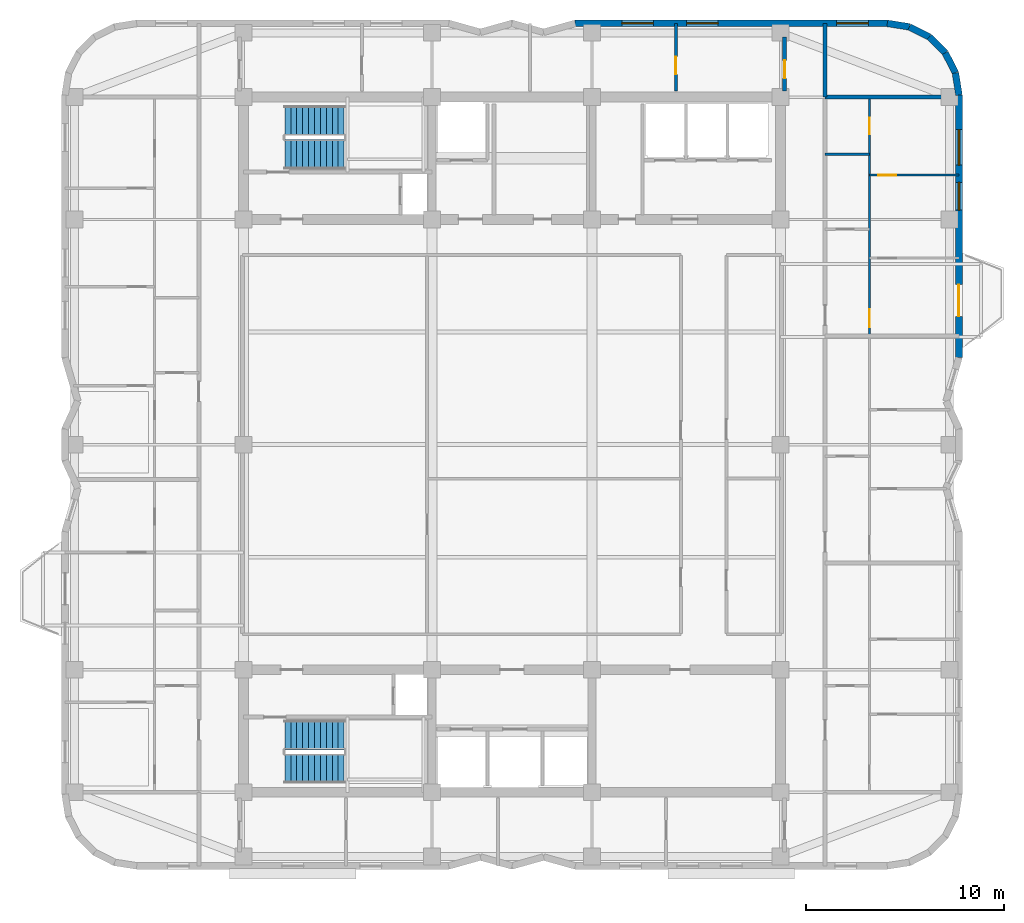
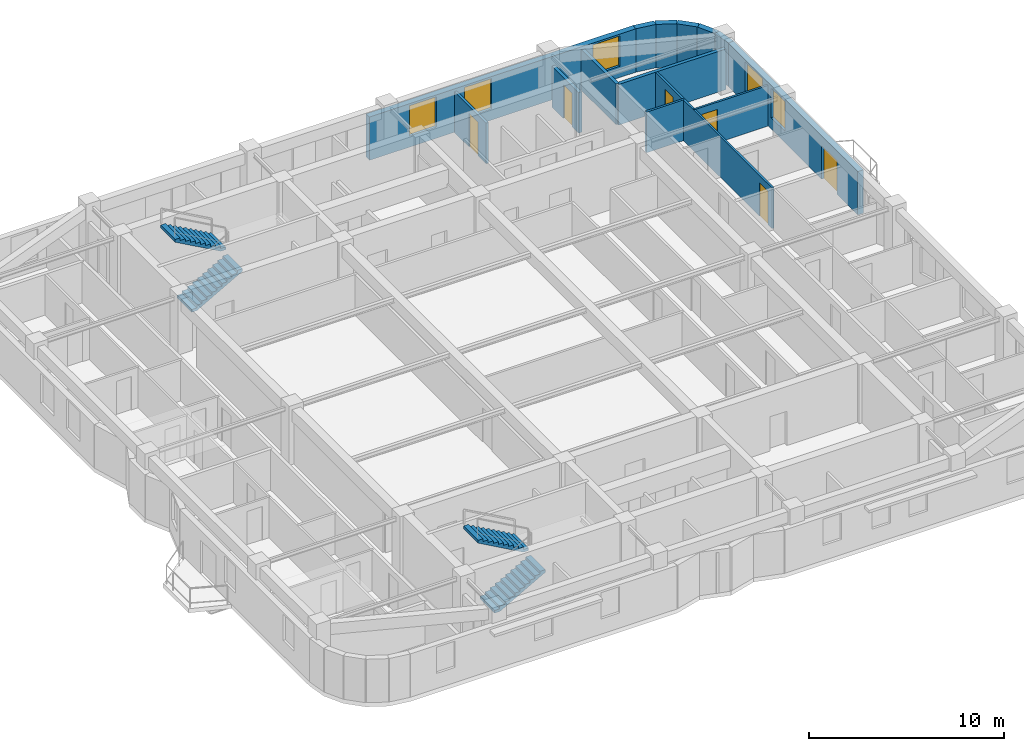
# One storey, part 7 of 9: 14 walls, 6 doors, 5 windows, 4 stair flights, 11 openings, 2 elements without a shape of their own.
"""IFC4 building model written with IfcOpenShell, lengths in metres."""

from ifc_helpers import new_model, si_unit, direction, frame, frame_2d, origin, place, context, subcontext, project, spatial, polyline, rectangle, outline, extrude, material, layer, layer_set, type_object, element, fill, aggregate, save


model = new_model("IFC4")

# Units and contexts
model_context = context("Model", 3, precision=1e-05, world=origin(), true_north=direction((0.0, 1.0)))
body_context = subcontext(model_context, "Body", "Model", "MODEL_VIEW")
ifc_project = project(units=[si_unit("LENGTHUNIT", "METRE"), si_unit("AREAUNIT", "SQUARE_METRE"), si_unit("VOLUMEUNIT", "CUBIC_METRE"), si_unit("PLANEANGLEUNIT", "RADIAN"), si_unit("MASSUNIT", "GRAM", prefix="KILO")], contexts=[model_context])

# Site, building, storey
site_placement = place(None, origin())
site = spatial("IfcSite", under=ifc_project, at=site_placement, CompositionType="ELEMENT")
building_placement = place(site_placement, origin())
building = spatial("IfcBuilding", under=site, at=building_placement, Name="Svetorya Sky Lyceum", CompositionType="ELEMENT")
storey_placement = place(building_placement, frame((0.0, 0.0, 214.699951171875)))
storey = spatial("IfcBuildingStorey", under=building, at=storey_placement, Name="L53", CompositionType="ELEMENT", Elevation=214.699951171875)

# Wall, openings, door, windows
ifc_material_1 = material(Name="Putilovo limestone rainscreen on autoclaved cellular masonry", Category="masonry")
ifc_layer_1 = layer(ifc_material_1, 0.340087890625)
ifc_layer_set_1 = layer_set([ifc_layer_1], Name="Putilovo limestone rainscreen on autoclaved cellular masonry")
wall_type_1 = type_object("IfcWallType", Name="WL-EXT-340", PredefinedType="SOLIDWALL", material=ifc_layer_set_1)
wall_1_placement = place(storey_placement, frame((61.830078125, 32.60009765625, 0.0), z_axis=(0.0, 0.0, 1.0), x_axis=(0.0, 1.0, 0.0)))
wall_1 = element("IfcWall", 1, at=wall_1_placement, inside=storey, type_object=wall_type_1, Name="L53 Limestone Exterior Wall 23M", PredefinedType="SOLIDWALL", context=body_context, shape_type="SweptSolid", body=[
    extrude(rectangle(XDim=13.2998046875, YDim=0.340087890625, at=frame_2d((6.64990234375, 0.0))), origin(), (0.0, 0.0, 1.0), 2.719970703125),
])
opening_1_placement = place(wall_1_placement, frame((2.10009765625, 0.0, 0.0)))
opening_1 = element("IfcOpeningElement", 2, at=opening_1_placement, cuts=wall_1, Name="Opening D-BL1", PredefinedType="OPENING", context=body_context, shape_type="SweptSolid", body=[
    extrude(rectangle(XDim=1.60009765625, YDim=2.10009765625, at=frame_2d((0.800048828125, 1.050048828125))), frame((0.0, 0.179931640625, 0.0), z_axis=(0.0, -1.0, 0.0), x_axis=(1.0, 0.0, 0.0)), (0.0, 0.0, 1.0), 0.360107421875),
])
opening_2_placement = place(wall_1_placement, frame((7.47998046875, 0.0, 0.7099609375)))
opening_2 = element("IfcOpeningElement", 3, at=opening_2_placement, cuts=wall_1, Name="Opening W-R2", PredefinedType="OPENING", context=body_context, shape_type="SweptSolid", body=[
    extrude(rectangle(XDim=1.39990234375, YDim=1.85009765625, at=frame_2d((0.699951171875, 0.925048828125))), frame((0.0, 0.179931640625, 0.0), z_axis=(0.0, -1.0, 0.0), x_axis=(1.0, 0.0, 0.0)), (0.0, 0.0, 1.0), 0.360107421875),
])
opening_3_placement = place(wall_1_placement, frame((9.75, 0.0, 0.75)))
opening_3 = element("IfcOpeningElement", 4, at=opening_3_placement, cuts=wall_1, Name="Opening W-R1", PredefinedType="OPENING", context=body_context, shape_type="SweptSolid", body=[
    extrude(rectangle(XDim=1.800048828125, YDim=1.85009765625, at=frame_2d((0.89990234375, 0.925048828125))), frame((0.0, 0.179931640625, 0.0), z_axis=(0.0, -1.0, 0.0), x_axis=(1.0, 0.0, 0.0)), (0.0, 0.0, 1.0), 0.360107421875),
])
ifc_material_2 = material(Name="Insulated glazed aluminium balcony door", Category="aluminium")
door_type_1 = type_object("IfcDoorType", Name="DR-BAL-1600", OperationType="DOUBLE_DOOR_SINGLE_SWING", PredefinedType="DOOR", material=ifc_material_2)
door_1_placement = place(opening_1_placement, origin())
door_1 = element("IfcDoor", 5, at=door_1_placement, inside=storey, type_object=door_type_1, Name="L53 Balcony BAL-E1 Door", OperationType="DOUBLE_DOOR_SINGLE_SWING", OverallHeight=2.10009765625, OverallWidth=1.60009765625, PredefinedType="DOOR", context=body_context, shape_type="SweptSolid", body=[
    extrude(rectangle(XDim=1.60009765625, YDim=2.10009765625, at=frame_2d((0.800048828125, 1.050048828125))), frame((0.0, 0.02490234375, 0.0), z_axis=(0.0, -1.0, 0.0), x_axis=(1.0, 0.0, 0.0)), (0.0, 0.0, 1.0), 0.050048828125),
])
fill(opening_1, door_1)
ifc_material_3 = material(Name="Thermally broken aluminium frame with triple low-E glazing", Category="aluminium")
window_type_1 = type_object("IfcWindowType", Name="WN-RES-140", PartitioningType="SINGLE_PANEL", PredefinedType="WINDOW", material=ifc_material_3)
window_1_placement = place(opening_2_placement, origin())
window_1 = element("IfcWindow", 6, at=window_1_placement, inside=storey, type_object=window_type_1, Name="L53 Facade Window W-R2.23M.2", OverallHeight=1.85009765625, OverallWidth=1.39990234375, PartitioningType="SINGLE_PANEL", PredefinedType="WINDOW", context=body_context, shape_type="SweptSolid", body=[
    extrude(rectangle(XDim=1.39990234375, YDim=1.85009765625, at=frame_2d((0.699951171875, 0.925048828125))), frame((0.0, 0.030029296875, 0.0), z_axis=(0.0, -1.0, 0.0), x_axis=(1.0, 0.0, 0.0)), (0.0, 0.0, 1.0), 0.06005859375),
])
fill(opening_2, window_1)
window_type_2 = type_object("IfcWindowType", Name="WN-RES-180", PartitioningType="DOUBLE_PANEL_VERTICAL", PredefinedType="WINDOW", material=ifc_material_3)
window_2_placement = place(opening_3_placement, origin())
window_2 = element("IfcWindow", 7, at=window_2_placement, inside=storey, type_object=window_type_2, Name="L53 Facade Window W-R1.23M.1", OverallHeight=1.85009765625, OverallWidth=1.800048828125, PartitioningType="SINGLE_PANEL", PredefinedType="WINDOW", context=body_context, shape_type="SweptSolid", body=[
    extrude(rectangle(XDim=1.800048828125, YDim=1.85009765625, at=frame_2d((0.89990234375, 0.925048828125))), frame((0.0, 0.030029296875, 0.0), z_axis=(0.0, -1.0, 0.0), x_axis=(1.0, 0.0, 0.0)), (0.0, 0.0, 1.0), 0.06005859375),
])
fill(opening_3, window_2)

# Walls
for number, where, z_axis, x_axis, name in (
    (8, (61.830078125, 45.89990234375, 0.0), (0.0, 0.0, 1.0), (-0.156481329164, 0.987680916907, 0.0), "L53 Limestone Exterior Wall 24M"),
    (9, (61.65234375, 47.021728515625, 0.0), (0.0, 0.0, 1.0), (-0.453993402883, 0.891005044957, 0.0), "L53 Limestone Exterior Wall 25M"),
):
    element("IfcWall", number, at=place(storey_placement, frame(where, z_axis=z_axis, x_axis=x_axis)), inside=storey, type_object=wall_type_1, Name=name, PredefinedType="SOLIDWALL", context=body_context, shape_type="SweptSolid", body=[
        extrude(rectangle(XDim=1.1357421875, YDim=0.340087890625, at=frame_2d((0.56787109375, 0.0))), origin(), (0.0, 0.0, 1.0), 2.719970703125),
    ])
wall_2_placement = place(storey_placement, frame((61.13671875, 48.03369140625, 0.0), z_axis=(0.0, 0.0, 1.0), x_axis=(-0.707106781187, 0.707106781187, 0.0)))
element("IfcWall", 10, at=wall_2_placement, inside=storey, type_object=wall_type_1, Name="L53 Limestone Exterior Wall 26M", PredefinedType="SOLIDWALL", context=body_context, shape_type="SweptSolid", body=[
    extrude(rectangle(XDim=1.135498046875, YDim=0.340087890625, at=frame_2d((0.56787109375, 0.0))), origin(), (0.0, 0.0, 1.0), 2.719970703125),
])
for number, where, z_axis, x_axis, name in (
    (11, (60.333740234375, 48.836669921875, 0.0), (0.0, 0.0, 1.0), (-0.891005044957, 0.453993402883, 0.0), "L53 Limestone Exterior Wall 27M"),
    (12, (59.32177734375, 49.352294921875, 0.0), (0.0, 0.0, 1.0), (-0.987680916907, 0.156481329164, 0.0), "L53 Limestone Exterior Wall 28M"),
):
    element("IfcWall", number, at=place(storey_placement, frame(where, z_axis=z_axis, x_axis=x_axis)), inside=storey, type_object=wall_type_1, Name=name, PredefinedType="SOLIDWALL", context=body_context, shape_type="SweptSolid", body=[
        extrude(rectangle(XDim=1.1357421875, YDim=0.340087890625, at=frame_2d((0.56787109375, 0.0))), origin(), (0.0, 0.0, 1.0), 2.719970703125),
    ])

# Wall, openings, windows
wall_3_placement = place(storey_placement, frame((58.199951171875, 49.530029296875, 0.0), z_axis=(0.0, 0.0, 1.0), x_axis=(-1.0, 0.0, 0.0)))
wall_3 = element("IfcWall", 13, at=wall_3_placement, inside=storey, type_object=wall_type_1, Name="L53 Limestone Exterior Wall 29M", PredefinedType="SOLIDWALL", context=body_context, shape_type="SweptSolid", body=[
    extrude(rectangle(XDim=15.800048828125, YDim=0.340087890625, at=frame_2d((7.89990234375, 0.0))), origin(), (0.0, 0.0, 1.0), 2.719970703125),
])
opening_4_placement = place(wall_3_placement, frame((0.96240234375, 0.0, 0.699951171875)))
opening_4 = element("IfcOpeningElement", 14, at=opening_4_placement, cuts=wall_3, Name="Opening W-R4", PredefinedType="OPENING", context=body_context, shape_type="SweptSolid", body=[
    extrude(rectangle(XDim=1.60009765625, YDim=1.89990234375, at=frame_2d((0.800048828125, 0.949951171875))), frame((0.0, 0.179931640625, 0.0), z_axis=(0.0, -1.0, 0.0), x_axis=(1.0, 0.0, 0.0)), (0.0, 0.0, 1.0), 0.360107421875),
])
opening_5_placement = place(wall_3_placement, frame((8.5625, 0.0, 0.699951171875)))
opening_5 = element("IfcOpeningElement", 15, at=opening_5_placement, cuts=wall_3, Name="Opening W-R4", PredefinedType="OPENING", context=body_context, shape_type="SweptSolid", body=[
    extrude(rectangle(XDim=1.60009765625, YDim=1.89990234375, at=frame_2d((0.800048828125, 0.949951171875))), frame((0.0, 0.179931640625, 0.0), z_axis=(0.0, -1.0, 0.0), x_axis=(1.0, 0.0, 0.0)), (0.0, 0.0, 1.0), 0.360107421875),
])
opening_6_placement = place(wall_3_placement, frame((11.83740234375, 0.0, 0.699951171875)))
opening_6 = element("IfcOpeningElement", 16, at=opening_6_placement, cuts=wall_3, Name="Opening W-R4", PredefinedType="OPENING", context=body_context, shape_type="SweptSolid", body=[
    extrude(rectangle(XDim=1.60009765625, YDim=1.89990234375, at=frame_2d((0.800048828125, 0.949951171875))), frame((0.0, 0.179931640625, 0.0), z_axis=(0.0, -1.0, 0.0), x_axis=(1.0, 0.0, 0.0)), (0.0, 0.0, 1.0), 0.360107421875),
])
window_type_3 = type_object("IfcWindowType", Name="WN-RES-160", PartitioningType="DOUBLE_PANEL_VERTICAL", PredefinedType="WINDOW", material=ifc_material_3)
window_3_placement = place(opening_4_placement, origin())
window_3 = element("IfcWindow", 17, at=window_3_placement, inside=storey, type_object=window_type_3, Name="L53 Facade Window W-R4.29M.1", OverallHeight=1.89990234375, OverallWidth=1.60009765625, PartitioningType="SINGLE_PANEL", PredefinedType="WINDOW", context=body_context, shape_type="SweptSolid", body=[
    extrude(rectangle(XDim=1.60009765625, YDim=1.89990234375, at=frame_2d((0.800048828125, 0.949951171875))), frame((0.0, 0.030029296875, 0.0), z_axis=(0.0, -1.0, 0.0), x_axis=(1.0, 0.0, 0.0)), (0.0, 0.0, 1.0), 0.06005859375),
])
fill(opening_4, window_3)
window_4_placement = place(opening_5_placement, origin())
window_4 = element("IfcWindow", 18, at=window_4_placement, inside=storey, type_object=window_type_3, Name="L53 Facade Window W-R4.29M.2", OverallHeight=1.89990234375, OverallWidth=1.60009765625, PartitioningType="SINGLE_PANEL", PredefinedType="WINDOW", context=body_context, shape_type="SweptSolid", body=[
    extrude(rectangle(XDim=1.60009765625, YDim=1.89990234375, at=frame_2d((0.800048828125, 0.949951171875))), frame((0.0, 0.030029296875, 0.0), z_axis=(0.0, -1.0, 0.0), x_axis=(1.0, 0.0, 0.0)), (0.0, 0.0, 1.0), 0.06005859375),
])
fill(opening_5, window_4)
window_5_placement = place(opening_6_placement, origin())
window_5 = element("IfcWindow", 19, at=window_5_placement, inside=storey, type_object=window_type_3, Name="L53 Facade Window W-R4.29M.3", OverallHeight=1.89990234375, OverallWidth=1.60009765625, PartitioningType="SINGLE_PANEL", PredefinedType="WINDOW", context=body_context, shape_type="SweptSolid", body=[
    extrude(rectangle(XDim=1.60009765625, YDim=1.89990234375, at=frame_2d((0.800048828125, 0.949951171875))), frame((0.0, 0.030029296875, 0.0), z_axis=(0.0, -1.0, 0.0), x_axis=(1.0, 0.0, 0.0)), (0.0, 0.0, 1.0), 0.06005859375),
])
fill(opening_6, window_5)

# Wall, opening, door
ifc_material_4 = material(Name="Twin-stud galvanized framing with double fireboard", Category="gypsum")
ifc_layer_2 = layer(ifc_material_4, 0.1201171875)
ifc_layer_set_2 = layer_set([ifc_layer_2], Name="Twin-stud galvanized framing with double fireboard")
wall_type_2 = type_object("IfcWallType", Name="WL-PART-120", PredefinedType="PARTITIONING", material=ifc_layer_set_2)
wall_4_placement = place(storey_placement, frame((57.300048828125, 41.85009765625, 0.0), z_axis=(0.0, 0.0, 1.0), x_axis=(1.0, 0.0, 0.0)))
wall_4 = element("IfcWall", 20, at=wall_4_placement, inside=storey, type_object=wall_type_2, Name="L53 Interior Partition E3-WL2", PredefinedType="PARTITIONING", context=body_context, shape_type="SweptSolid", body=[
    extrude(rectangle(XDim=4.530029296875, YDim=0.1201171875, at=frame_2d((2.26513671875, 0.0))), origin(), (0.0, 0.0, 1.0), 2.550048828125),
])
opening_7_placement = place(wall_4_placement, frame((0.449951171875, 0.0, 0.0)))
opening_7 = element("IfcOpeningElement", 21, at=opening_7_placement, cuts=wall_4, Name="Opening D-RM1", PredefinedType="OPENING", context=body_context, shape_type="SweptSolid", body=[
    extrude(rectangle(XDim=0.89990234375, YDim=2.10009765625, at=frame_2d((0.449951171875, 1.050048828125))), frame((0.0, 0.070068359375, 0.0), z_axis=(0.0, -1.0, 0.0), x_axis=(1.0, 0.0, 0.0)), (0.0, 0.0, 1.0), 0.14013671875),
])
ifc_material_5 = material(Name="Lacquered birch veneer internal door")
door_type_2 = type_object("IfcDoorType", Name="DR-INT-900", OperationType="SINGLE_SWING_LEFT", PredefinedType="DOOR", material=ifc_material_5)
door_2_placement = place(opening_7_placement, origin())
door_2 = element("IfcDoor", 22, at=door_2_placement, inside=storey, type_object=door_type_2, Name="Apartment E3 Bedroom 2 Door", OperationType="SINGLE_SWING_LEFT", OverallHeight=2.10009765625, OverallWidth=0.89990234375, PredefinedType="DOOR", context=body_context, shape_type="SweptSolid", body=[
    extrude(rectangle(XDim=0.89990234375, YDim=2.10009765625, at=frame_2d((0.449951171875, 1.050048828125))), frame((0.0, 0.02490234375, 0.0), z_axis=(0.0, -1.0, 0.0), x_axis=(1.0, 0.0, 0.0)), (0.0, 0.0, 1.0), 0.050048828125),
])
fill(opening_7, door_2)

# Wall, openings, doors
wall_5_placement = place(storey_placement, frame((57.300048828125, 33.739990234375, 0.0), z_axis=(0.0, 0.0, 1.0), x_axis=(0.0, 1.0, 0.0)))
wall_5 = element("IfcWall", 23, at=wall_5_placement, inside=storey, type_object=wall_type_2, Name="L53 Interior Partition E3-WV", PredefinedType="PARTITIONING", context=body_context, shape_type="SweptSolid", body=[
    extrude(rectangle(XDim=12.02001953125, YDim=0.1201171875, at=frame_2d((6.010009765625, 0.0))), origin(), (0.0, 0.0, 1.0), 2.550048828125),
])
opening_8_placement = place(wall_5_placement, frame((0.409912109375, 0.0, 0.0)))
opening_8 = element("IfcOpeningElement", 24, at=opening_8_placement, cuts=wall_5, Name="Opening D-RM1", PredefinedType="OPENING", context=body_context, shape_type="SweptSolid", body=[
    extrude(rectangle(XDim=0.89990234375, YDim=2.10009765625, at=frame_2d((0.449951171875, 1.050048828125))), frame((0.0, 0.070068359375, 0.0), z_axis=(0.0, -1.0, 0.0), x_axis=(1.0, 0.0, 0.0)), (0.0, 0.0, 1.0), 0.14013671875),
])
opening_9_placement = place(wall_5_placement, frame((10.18505859375, 0.0, 0.0)))
opening_9 = element("IfcOpeningElement", 25, at=opening_9_placement, cuts=wall_5, Name="Opening D-BT2", PredefinedType="OPENING", context=body_context, shape_type="SweptSolid", body=[
    extrude(rectangle(XDim=0.820068359375, YDim=2.080078125, at=frame_2d((0.41015625, 1.0400390625))), frame((0.0, 0.070068359375, 0.0), z_axis=(0.0, -1.0, 0.0), x_axis=(1.0, 0.0, 0.0)), (0.0, 0.0, 1.0), 0.14013671875),
])
door_3_placement = place(opening_8_placement, origin())
door_3 = element("IfcDoor", 26, at=door_3_placement, inside=storey, type_object=door_type_2, Name="Apartment E3 Living Door", OperationType="SINGLE_SWING_LEFT", OverallHeight=2.10009765625, OverallWidth=0.89990234375, PredefinedType="DOOR", context=body_context, shape_type="SweptSolid", body=[
    extrude(rectangle(XDim=0.89990234375, YDim=2.10009765625, at=frame_2d((0.449951171875, 1.050048828125))), frame((0.0, 0.02490234375, 0.0), z_axis=(0.0, -1.0, 0.0), x_axis=(1.0, 0.0, 0.0)), (0.0, 0.0, 1.0), 0.050048828125),
])
fill(opening_8, door_3)
ifc_material_6 = material(Name="Compact moisture-resistant laminate closet door")
door_type_3 = type_object("IfcDoorType", Name="DR-WET-820", OperationType="SINGLE_SWING_LEFT", PredefinedType="DOOR", material=ifc_material_6)
door_4_placement = place(opening_9_placement, origin())
door_4 = element("IfcDoor", 27, at=door_4_placement, inside=storey, type_object=door_type_3, Name="Apartment E3 Study Door", OperationType="SINGLE_SWING_RIGHT", OverallHeight=2.080078125, OverallWidth=0.820068359375, PredefinedType="DOOR", context=body_context, shape_type="SweptSolid", body=[
    extrude(rectangle(XDim=0.820068359375, YDim=2.080078125, at=frame_2d((0.41015625, 1.0400390625))), frame((0.0, 0.02490234375, 0.0), z_axis=(0.0, -1.0, 0.0), x_axis=(1.0, 0.0, 0.0)), (0.0, 0.0, 1.0), 0.050048828125),
])
fill(opening_9, door_4)

# Wall
ifc_material_7 = material(Name="Twin-stud galvanized framing with acoustic board", Category="gypsum")
ifc_layer_3 = layer(ifc_material_7, 0.135009765625)
ifc_layer_set_3 = layer_set([ifc_layer_3], Name="Twin-stud galvanized framing with acoustic board")
wall_type_3 = type_object("IfcWallType", Name="WL-PART-135", PredefinedType="PARTITIONING", material=ifc_layer_set_3)
wall_6_placement = place(storey_placement, frame((55.050048828125, 42.89990234375, 0.0), z_axis=(0.0, 0.0, 1.0), x_axis=(1.0, 0.0, 0.0)))
element("IfcWall", 28, at=wall_6_placement, inside=storey, type_object=wall_type_3, Name="L53 Interior Partition E3-WH2", PredefinedType="PARTITIONING", context=body_context, shape_type="SweptSolid", body=[
    extrude(rectangle(XDim=2.25, YDim=0.135009765625, at=frame_2d((1.125, 0.0))), origin(), (0.0, 0.0, 1.0), 2.550048828125),
])

# Wall, opening, door
ifc_material_8 = material(Name="Autoclaved cellular masonry blockwork with acoustic render", Category="masonry")
ifc_layer_4 = layer(ifc_material_8, 0.14990234375)
ifc_layer_set_4 = layer_set([ifc_layer_4], Name="Autoclaved cellular masonry blockwork with acoustic render")
wall_type_4 = type_object("IfcWallType", Name="WL-PART-150", PredefinedType="PARTITIONING", material=ifc_layer_set_4)
wall_7_placement = place(storey_placement, frame((47.5, 46.10009765625, 0.0), z_axis=(0.0, 0.0, 1.0), x_axis=(0.0, 1.0, 0.0)))
wall_7 = element("IfcWall", 29, at=wall_7_placement, inside=storey, type_object=wall_type_4, Name="L53 Interior Partition N4-D3", PredefinedType="PARTITIONING", context=body_context, shape_type="SweptSolid", body=[
    extrude(rectangle(XDim=3.429931640625, YDim=0.14990234375, at=frame_2d((1.71484375, 0.0))), origin(), (0.0, 0.0, 1.0), 2.550048828125),
])
opening_10_placement = place(wall_7_placement, frame((0.85009765625, 0.0, 0.0)))
opening_10 = element("IfcOpeningElement", 30, at=opening_10_placement, cuts=wall_7, Name="Opening D-RM1", PredefinedType="OPENING", context=body_context, shape_type="SweptSolid", body=[
    extrude(rectangle(XDim=0.89990234375, YDim=2.10009765625, at=frame_2d((0.449951171875, 1.050048828125))), frame((0.0, 0.0849609375, 0.0), z_axis=(0.0, -1.0, 0.0), x_axis=(1.0, 0.0, 0.0)), (0.0, 0.0, 1.0), 0.169921875),
])
door_5_placement = place(opening_10_placement, origin())
door_5 = element("IfcDoor", 31, at=door_5_placement, inside=storey, type_object=door_type_2, Name="L53 North Suite Door 3", OperationType="SINGLE_SWING_RIGHT", OverallHeight=2.10009765625, OverallWidth=0.89990234375, PredefinedType="DOOR", context=body_context, shape_type="SweptSolid", body=[
    extrude(rectangle(XDim=0.89990234375, YDim=2.10009765625, at=frame_2d((0.449951171875, 1.050048828125))), frame((0.0, 0.02490234375, 0.0), z_axis=(0.0, -1.0, 0.0), x_axis=(1.0, 0.0, 0.0)), (0.0, 0.0, 1.0), 0.050048828125),
])
fill(opening_10, door_5)

# Walls
ifc_material_9 = material(Name="Autoclaved cellular masonry blockwork with gypsum plaster", Category="masonry")
ifc_layer_5 = layer(ifc_material_9, 0.199951171875)
ifc_layer_set_5 = layer_set([ifc_layer_5], Name="Autoclaved cellular masonry blockwork with gypsum plaster")
wall_type_5 = type_object("IfcWallType", Name="WL-PART-200", PredefinedType="PARTITIONING", material=ifc_layer_set_5)
wall_8_placement = place(storey_placement, frame((55.050048828125, 45.800048828125, 0.0), z_axis=(0.0, 0.0, 1.0), x_axis=(1.0, 0.0, 0.0)))
element("IfcWall", 32, at=wall_8_placement, inside=storey, type_object=wall_type_5, Name="L53 Interior Partition E-CAP-N", PredefinedType="PARTITIONING", context=body_context, shape_type="SweptSolid", body=[
    extrude(rectangle(XDim=6.35986328125, YDim=0.199951171875, at=frame_2d((3.179931640625, 0.0))), origin(), (0.0, 0.0, 1.0), 2.550048828125),
])
wall_9_placement = place(storey_placement, frame((55.050048828125, 45.800048828125, 0.0), z_axis=(0.0, 0.0, 1.0), x_axis=(0.0, 1.0, 0.0)))
element("IfcWall", 33, at=wall_9_placement, inside=storey, type_object=wall_type_5, Name="L53 Interior Partition EC-NE-END", PredefinedType="PARTITIONING", context=body_context, shape_type="SweptSolid", body=[
    extrude(rectangle(XDim=3.72998046875, YDim=0.199951171875, at=frame_2d((1.864990234375, 0.0))), origin(), (0.0, 0.0, 1.0), 2.550048828125),
])

# Wall, opening, door
wall_10_placement = place(storey_placement, frame((53.0, 46.10009765625, 0.0), z_axis=(0.0, 0.0, 1.0), x_axis=(0.0, 1.0, 0.0)))
wall_10 = element("IfcWall", 34, at=wall_10_placement, inside=storey, type_object=wall_type_5, Name="L53 Interior Partition N4-EE", PredefinedType="PARTITIONING", context=body_context, shape_type="SweptSolid", body=[
    extrude(rectangle(XDim=2.72998046875, YDim=0.199951171875, at=frame_2d((1.364990234375, 0.0))), origin(), (0.0, 0.0, 1.0), 2.550048828125),
])
opening_11_placement = place(wall_10_placement, frame((0.64990234375, 0.0, 0.0)))
opening_11 = element("IfcOpeningElement", 35, at=opening_11_placement, cuts=wall_10, Name="Opening D-RM1", PredefinedType="OPENING", context=body_context, shape_type="SweptSolid", body=[
    extrude(rectangle(XDim=0.89990234375, YDim=2.10009765625, at=frame_2d((0.449951171875, 1.050048828125))), frame((0.0, 0.10986328125, 0.0), z_axis=(0.0, -1.0, 0.0), x_axis=(1.0, 0.0, 0.0)), (0.0, 0.0, 1.0), 0.219970703125),
])
door_6_placement = place(opening_11_placement, origin())
door_6 = element("IfcDoor", 36, at=door_6_placement, inside=storey, type_object=door_type_2, Name="L53 NE Office Door", OperationType="SINGLE_SWING_LEFT", OverallHeight=2.10009765625, OverallWidth=0.89990234375, PredefinedType="DOOR", context=body_context, shape_type="SweptSolid", body=[
    extrude(rectangle(XDim=0.89990234375, YDim=2.10009765625, at=frame_2d((0.449951171875, 1.050048828125))), frame((0.0, 0.02490234375, 0.0), z_axis=(0.0, -1.0, 0.0), x_axis=(1.0, 0.0, 0.0)), (0.0, 0.0, 1.0), 0.050048828125),
])
fill(opening_11, door_6)

# Stair, stair flights
ifc_material_10 = material(Name="Concrete C40/50", Category="concrete")
stair_type_1 = type_object("IfcStairType", Name="STR-ST-N", PredefinedType="HALF_TURN_STAIR", material=ifc_material_10)
stair_1_placement = place(storey_placement, origin())
stair_1 = element("IfcStair", 37, at=stair_1_placement, inside=storey, type_object=stair_type_1, Name="L53 North Core Smoke-Free Exit Stair N3", PredefinedType="HALF_TURN_STAIR")
stair_flight_type_1 = type_object("IfcStairFlightType", Name="SFL-ST-N", PredefinedType="STRAIGHT", material=ifc_material_10)
stair_flight_1_placement = place(storey_placement, frame((27.699951171875, 42.89990234375, 0.0), z_axis=(0.0, 0.0, 1.0), x_axis=(1.0, 0.0, 0.0)))
stair_flight_1 = element("IfcStairFlight", 38, at=stair_flight_1_placement, type_object=stair_flight_type_1, Name="ST-N flight 1", NumberOfRisers=11, NumberOfTreads=10, PredefinedType="STRAIGHT", RiserHeight=0.168181818, TreadLength=0.3, context=body_context, shape_type="SweptSolid", body=[
    extrude(outline(polyline([(0.0, 0.0), (0.0, 0.168212890625), (0.300048828125, 0.168212890625), (0.300048828125, 0.33642578125), (0.60009765625, 0.33642578125), (0.60009765625, 0.504638671875), (0.89990234375, 0.504638671875), (0.89990234375, 0.672607421875), (1.199951171875, 0.672607421875), (1.199951171875, 0.8408203125), (1.5, 0.8408203125), (1.5, 1.009033203125), (1.800048828125, 1.009033203125), (1.800048828125, 1.17724609375), (2.10009765625, 1.17724609375), (2.10009765625, 1.345458984375), (2.39990234375, 1.345458984375), (2.39990234375, 1.513671875), (2.699951171875, 1.513671875), (2.699951171875, 1.681884765625), (3.0, 1.681884765625), (3.0, 1.85009765625), (3.0, 1.510009765625), (0.306640625, 0.0), (0.0, 0.0)])), frame((0.0, 0.75, 0.0), z_axis=(0.0, -1.0, 0.0), x_axis=(1.0, 0.0, 0.0)), (0.0, 0.0, 1.0), 1.5),
])
stair_flight_2_placement = place(storey_placement, frame((30.699951171875, 44.60009765625, 1.85009765625), z_axis=(0.0, 0.0, 1.0), x_axis=(-1.0, 0.0, 0.0)))
stair_flight_2 = element("IfcStairFlight", 39, at=stair_flight_2_placement, type_object=stair_flight_type_1, Name="ST-N flight 2", NumberOfRisers=11, NumberOfTreads=10, PredefinedType="STRAIGHT", RiserHeight=0.168181818, TreadLength=0.3, context=body_context, shape_type="SweptSolid", body=[
    extrude(outline(polyline([(0.0, 0.0), (0.0, 0.168212890625), (0.300048828125, 0.168212890625), (0.300048828125, 0.33642578125), (0.60009765625, 0.33642578125), (0.60009765625, 0.504638671875), (0.89990234375, 0.504638671875), (0.89990234375, 0.672607421875), (1.199951171875, 0.672607421875), (1.199951171875, 0.8408203125), (1.5, 0.8408203125), (1.5, 1.009033203125), (1.800048828125, 1.009033203125), (1.800048828125, 1.17724609375), (2.10009765625, 1.17724609375), (2.10009765625, 1.345458984375), (2.39990234375, 1.345458984375), (2.39990234375, 1.513671875), (2.699951171875, 1.513671875), (2.699951171875, 1.681884765625), (3.0, 1.681884765625), (3.0, 1.85009765625), (3.0, 1.510009765625), (0.306640625, 0.0), (0.0, 0.0)])), frame((0.0, 0.75, 0.0), z_axis=(0.0, -1.0, 0.0), x_axis=(1.0, 0.0, 0.0)), (0.0, 0.0, 1.0), 1.5),
])
aggregate(stair_1, [stair_flight_1, stair_flight_2])

stair_type_2 = type_object("IfcStairType", Name="STR-ST-S", PredefinedType="HALF_TURN_STAIR", material=ifc_material_10)
stair_2_placement = place(storey_placement, origin())
stair_2 = element("IfcStair", 40, at=stair_2_placement, inside=storey, type_object=stair_type_2, Name="L53 South Core Smoke-Free Exit Stair N2", PredefinedType="HALF_TURN_STAIR")
stair_flight_type_2 = type_object("IfcStairFlightType", Name="SFL-ST-S", PredefinedType="STRAIGHT", material=ifc_material_10)
stair_flight_3_placement = place(storey_placement, frame((27.699951171875, 11.800048828125, 0.0), z_axis=(0.0, 0.0, 1.0), x_axis=(1.0, 0.0, 0.0)))
stair_flight_3 = element("IfcStairFlight", 41, at=stair_flight_3_placement, type_object=stair_flight_type_2, Name="ST-S flight 1", NumberOfRisers=11, NumberOfTreads=10, PredefinedType="STRAIGHT", RiserHeight=0.168181818, TreadLength=0.3, context=body_context, shape_type="SweptSolid", body=[
    extrude(outline(polyline([(0.0, 0.0), (0.0, 0.168212890625), (0.300048828125, 0.168212890625), (0.300048828125, 0.33642578125), (0.60009765625, 0.33642578125), (0.60009765625, 0.504638671875), (0.89990234375, 0.504638671875), (0.89990234375, 0.672607421875), (1.199951171875, 0.672607421875), (1.199951171875, 0.8408203125), (1.5, 0.8408203125), (1.5, 1.009033203125), (1.800048828125, 1.009033203125), (1.800048828125, 1.17724609375), (2.10009765625, 1.17724609375), (2.10009765625, 1.345458984375), (2.39990234375, 1.345458984375), (2.39990234375, 1.513671875), (2.699951171875, 1.513671875), (2.699951171875, 1.681884765625), (3.0, 1.681884765625), (3.0, 1.85009765625), (3.0, 1.510009765625), (0.306640625, 0.0), (0.0, 0.0)])), frame((0.0, 0.75, 0.0), z_axis=(0.0, -1.0, 0.0), x_axis=(1.0, 0.0, 0.0)), (0.0, 0.0, 1.0), 1.5),
])
stair_flight_4_placement = place(storey_placement, frame((30.699951171875, 13.5, 1.85009765625), z_axis=(0.0, 0.0, 1.0), x_axis=(-1.0, 0.0, 0.0)))
stair_flight_4 = element("IfcStairFlight", 42, at=stair_flight_4_placement, type_object=stair_flight_type_2, Name="ST-S flight 2", NumberOfRisers=11, NumberOfTreads=10, PredefinedType="STRAIGHT", RiserHeight=0.168181818, TreadLength=0.3, context=body_context, shape_type="SweptSolid", body=[
    extrude(outline(polyline([(0.0, 0.0), (0.0, 0.168212890625), (0.300048828125, 0.168212890625), (0.300048828125, 0.33642578125), (0.60009765625, 0.33642578125), (0.60009765625, 0.504638671875), (0.89990234375, 0.504638671875), (0.89990234375, 0.672607421875), (1.199951171875, 0.672607421875), (1.199951171875, 0.8408203125), (1.5, 0.8408203125), (1.5, 1.009033203125), (1.800048828125, 1.009033203125), (1.800048828125, 1.17724609375), (2.10009765625, 1.17724609375), (2.10009765625, 1.345458984375), (2.39990234375, 1.345458984375), (2.39990234375, 1.513671875), (2.699951171875, 1.513671875), (2.699951171875, 1.681884765625), (3.0, 1.681884765625), (3.0, 1.85009765625), (3.0, 1.510009765625), (0.306640625, 0.0), (0.0, 0.0)])), frame((0.0, 0.75, 0.0), z_axis=(0.0, -1.0, 0.0), x_axis=(1.0, 0.0, 0.0)), (0.0, 0.0, 1.0), 1.5),
])
aggregate(stair_2, [stair_flight_3, stair_flight_4])

save(model, "model.ifc")
